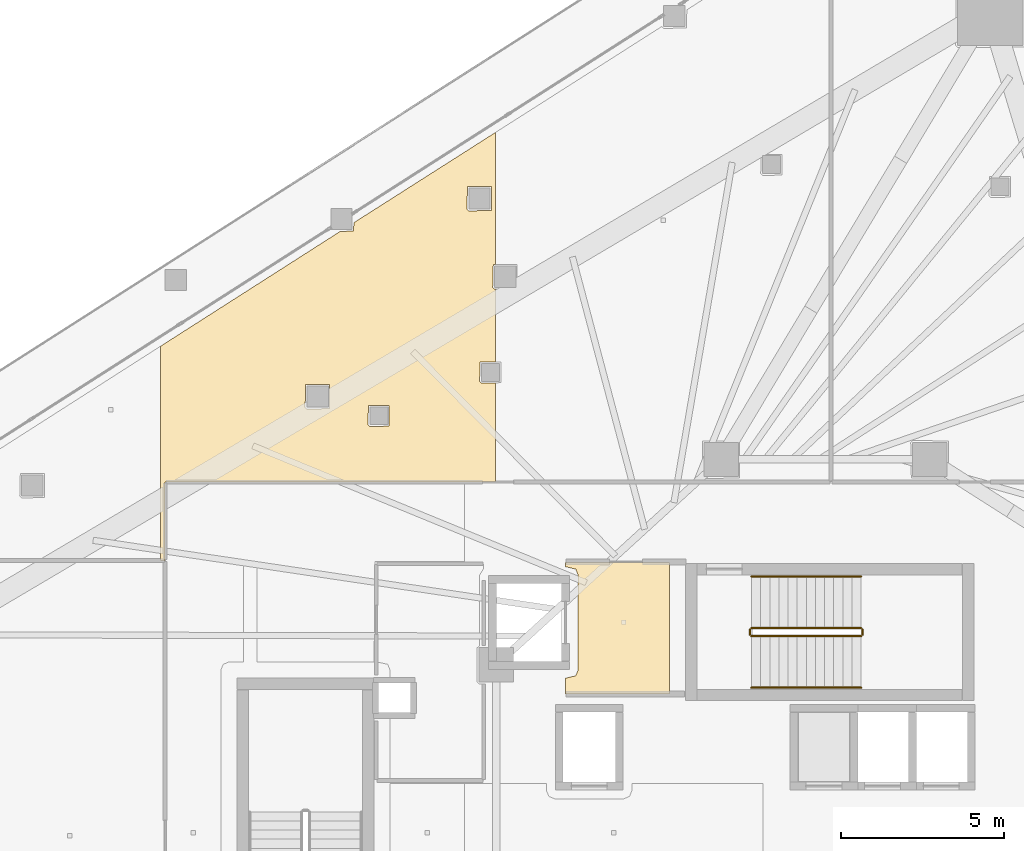
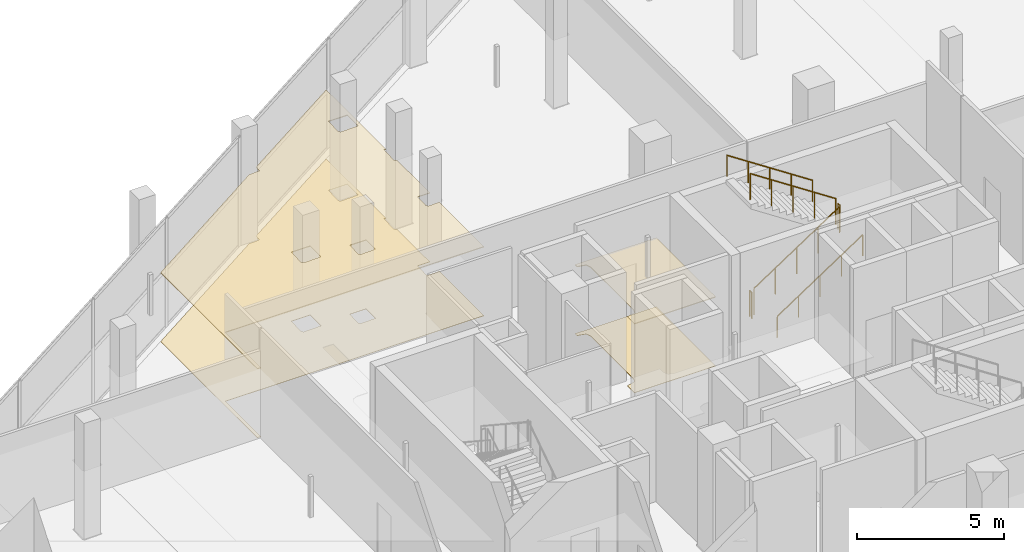
# One storey, part 40 of 42: 6 railings, 4 coverings.
"""IFC4 building model written with IfcOpenShell, lengths in metres."""

from ifc_helpers import new_model, si_unit, direction, frame, origin, origin_2d, place, context, subcontext, project, spatial, polyline, circle, outline, extrude, material, layer, layer_set, type_object, element, save


model = new_model("IFC4")

# Units and contexts
model_context = context("Model", 3, precision=1e-05, world=origin(), true_north=direction((0.0, 1.0)))
body_context = subcontext(model_context, "Body", "Model", "MODEL_VIEW")
ifc_project = project(units=[si_unit("LENGTHUNIT", "METRE"), si_unit("AREAUNIT", "SQUARE_METRE"), si_unit("VOLUMEUNIT", "CUBIC_METRE"), si_unit("PLANEANGLEUNIT", "RADIAN"), si_unit("MASSUNIT", "GRAM", prefix="KILO")], contexts=[model_context])

# Site, building, storey
site_placement = place(None, origin())
site = spatial("IfcSite", under=ifc_project, at=site_placement, CompositionType="ELEMENT")
building_placement = place(site_placement, origin())
building = spatial("IfcBuilding", under=site, at=building_placement, Name="Qorvath Tower", CompositionType="ELEMENT")
storey_placement = place(building_placement, frame((0.0, 0.0, 105.0)))
storey = spatial("IfcBuildingStorey", under=building, at=storey_placement, Name="L23", CompositionType="ELEMENT", Elevation=105.0)

# Coverings
ifc_material_1 = material(Name="Acoustic mineral fibre ceiling tile", Category="gypsum")
ifc_layer_1 = layer(ifc_material_1, 0.030029296875)
ifc_layer_set_1 = layer_set([ifc_layer_1], Name="COV-CEIL")
covering_type_1 = type_object("IfcCoveringType", Name="COV-CEIL", PredefinedType="CEILING", material=ifc_layer_set_1)
covering_1_placement = place(storey_placement, frame((0.0, 0.0, 2.85009765625)))
element("IfcCovering", 1, at=covering_1_placement, inside=storey, type_object=covering_type_1, Name="L23 Suspended Acoustic Ceiling 001", PredefinedType="CEILING", context=body_context, shape_type="SweptSolid", body=[
    extrude(outline(polyline([(-25.18994140625, 4.2548828125), (-25.18994140625, 8.294921875), (-28.375, 8.294921875), (-28.375, 8.159912109375), (-28.063232421875, 8.086669921875), (-27.989990234375, 7.909912109375), (-27.989990234375, 4.989990234375), (-28.063232421875, 4.813232421875), (-28.375, 4.739990234375), (-28.375, 4.2548828125), (-25.18994140625, 4.2548828125)])), origin(), (0.0, 0.0, 1.0), 0.030029296875),
])
covering_2_placement = place(storey_placement, frame((0.0, 0.0, 2.85009765625)))
element("IfcCovering", 2, at=covering_2_placement, inside=storey, type_object=covering_type_1, Name="L23 Suspended Acoustic Ceiling 009", PredefinedType="CEILING", context=body_context, shape_type="SweptSolid", body=[
    extrude(outline(polyline([(-30.519287109375, 10.762939453125), (-30.519287109375, 13.80224609375), (-30.9521484375, 13.789306640625), (-31.01220703125, 13.849365234375), (-30.99462890625, 14.441650390625), (-30.519287109375, 14.441650390625), (-30.519287109375, 16.67529296875), (-30.5498046875, 16.674560546875), (-30.60986328125, 16.734619140625), (-30.59228515625, 17.427001953125), (-30.519287109375, 17.427001953125), (-30.519287109375, 21.487548828125), (-34.86669921875, 18.71826171875), (-34.88427734375, 18.4619140625), (-35.29541015625, 18.4443359375), (-40.80029296875, 14.926025390625), (-40.80029296875, 8.35498046875), (-40.6630859375, 8.35498046875), (-40.657958984375, 10.762939453125), (-30.519287109375, 10.762939453125)]), holes=[polyline([(-31.401123046875, 19.135498046875), (-31.383544921875, 19.827880859375), (-30.648681640625, 19.827880859375), (-30.648681640625, 19.093017578125), (-31.341064453125, 19.075439453125), (-31.401123046875, 19.135498046875)]), polyline([(-34.439208984375, 12.517578125), (-34.421630859375, 13.10986328125), (-33.786865234375, 13.10986328125), (-33.786865234375, 12.47509765625), (-34.379150390625, 12.45751953125), (-34.439208984375, 12.517578125)]), polyline([(-36.36572265625, 13.055908203125), (-36.34814453125, 13.748291015625), (-35.61328125, 13.748291015625), (-35.61328125, 13.013427734375), (-36.3056640625, 12.995849609375), (-36.36572265625, 13.055908203125)])]), origin(), (0.0, 0.0, 1.0), 0.030029296875),
])
ifc_material_2 = material(Name="Low-VOC modular carpet tile", Category="textile")
ifc_layer_2 = layer(ifc_material_2, 0.014892578125)
ifc_layer_set_2 = layer_set([ifc_layer_2], Name="COV-FLOOR-CPT")
covering_type_2 = type_object("IfcCoveringType", Name="COV-FLOOR-CPT", PredefinedType="FLOORING", material=ifc_layer_set_2)
covering_3_placement = place(storey_placement, origin())
element("IfcCovering", 3, at=covering_3_placement, inside=storey, type_object=covering_type_2, Name="L23 Floor Finish 009", PredefinedType="FLOORING", context=body_context, shape_type="SweptSolid", body=[
    extrude(outline(polyline([(-30.519287109375, 10.762939453125), (-30.519287109375, 13.80224609375), (-30.9521484375, 13.789306640625), (-31.01220703125, 13.849365234375), (-30.99462890625, 14.441650390625), (-30.519287109375, 14.441650390625), (-30.519287109375, 16.67529296875), (-30.5498046875, 16.674560546875), (-30.60986328125, 16.734619140625), (-30.59228515625, 17.427001953125), (-30.519287109375, 17.427001953125), (-30.519287109375, 21.487548828125), (-34.86669921875, 18.71826171875), (-34.88427734375, 18.4619140625), (-35.29541015625, 18.4443359375), (-40.80029296875, 14.926025390625), (-40.80029296875, 8.35498046875), (-40.6630859375, 8.35498046875), (-40.657958984375, 10.762939453125), (-30.519287109375, 10.762939453125)]), holes=[polyline([(-31.401123046875, 19.135498046875), (-31.383544921875, 19.827880859375), (-30.648681640625, 19.827880859375), (-30.648681640625, 19.093017578125), (-31.341064453125, 19.075439453125), (-31.401123046875, 19.135498046875)]), polyline([(-34.439208984375, 12.517578125), (-34.421630859375, 13.10986328125), (-33.786865234375, 13.10986328125), (-33.786865234375, 12.47509765625), (-34.379150390625, 12.45751953125), (-34.439208984375, 12.517578125)]), polyline([(-36.36572265625, 13.055908203125), (-36.34814453125, 13.748291015625), (-35.61328125, 13.748291015625), (-35.61328125, 13.013427734375), (-36.3056640625, 12.995849609375), (-36.36572265625, 13.055908203125)])]), origin(), (0.0, 0.0, 1.0), 0.014892578125),
])
ifc_material_3 = material(Name="Polished epoxy terrazzo flooring", Category="concrete")
ifc_layer_3 = layer(ifc_material_3, 0.02001953125)
ifc_layer_set_3 = layer_set([ifc_layer_3], Name="COV-FLOOR-TRZ")
covering_type_3 = type_object("IfcCoveringType", Name="COV-FLOOR-TRZ", PredefinedType="FLOORING", material=ifc_layer_set_3)
covering_4_placement = place(storey_placement, origin())
element("IfcCovering", 4, at=covering_4_placement, inside=storey, type_object=covering_type_3, Name="L23 Floor Finish 001", PredefinedType="FLOORING", context=body_context, shape_type="SweptSolid", body=[
    extrude(outline(polyline([(-25.18994140625, 4.2548828125), (-25.18994140625, 8.294921875), (-28.375, 8.294921875), (-28.375, 8.159912109375), (-28.063232421875, 8.086669921875), (-27.989990234375, 7.909912109375), (-27.989990234375, 4.989990234375), (-28.063232421875, 4.813232421875), (-28.375, 4.739990234375), (-28.375, 4.2548828125), (-25.18994140625, 4.2548828125)])), origin(), (0.0, 0.0, 1.0), 0.014892578125),
])

# Railings
ifc_material_4 = material(Name="Painted galvanised steel", Category="steel")
railing_type_1 = type_object("IfcRailingType", Name="RL-STR-GRD", PredefinedType="GUARDRAIL", material=ifc_material_4)
railing_1_placement = place(storey_placement, frame((-22.669921875, 6.030029296875, 0.1845703125)))
element("IfcRailing", 5, at=railing_1_placement, inside=storey, type_object=railing_type_1, Name="L23 TS1 stair guard 1", PredefinedType="GUARDRAIL", context=body_context, shape_type="SweptSolid", body=[
    extrude(circle(Radius=0.02392578125, at=origin_2d()), frame((0.0, 0.0, 1.076171875), z_axis=(0.834858096282, 0.0, 0.550465220583), x_axis=(0.0, 1.0, 0.0)), (0.0, 0.0, 1.0), 4.0244140625),
    extrude(circle(Radius=0.02099609375, at=origin_2d()), origin(), (0.0, 0.0, 1.0), 1.052001953125),
    extrude(circle(Radius=0.02099609375, at=origin_2d()), frame((0.83984375, 0.0, 0.5537109375)), (0.0, 0.0, 1.0), 1.052001953125),
    extrude(circle(Radius=0.02099609375, at=origin_2d()), frame((1.679931640625, 0.0, 1.107666015625)), (0.0, 0.0, 1.0), 1.052001953125),
    extrude(circle(Radius=0.02099609375, at=origin_2d()), frame((2.52001953125, 0.0, 1.66162109375)), (0.0, 0.0, 1.0), 1.052001953125),
    extrude(circle(Radius=0.02099609375, at=origin_2d()), frame((3.35986328125, 0.0, 2.21533203125)), (0.0, 0.0, 1.0), 1.052001953125),
])
railing_2_placement = place(storey_placement, frame((-19.260009765625, 6.080078125, 2.39990234375)))
element("IfcRailing", 6, at=railing_2_placement, inside=storey, type_object=railing_type_1, Name="L23 TS1 stair guard 2", PredefinedType="GUARDRAIL", context=body_context, shape_type="SweptSolid", body=[
    extrude(circle(Radius=0.02392578125, at=origin_2d()), frame((0.0, 0.0, 1.076171875), z_axis=(0.0, 1.0, 0.0), x_axis=(-1.0, 0.0, 0.0)), (0.0, 0.0, 1.0), 0.14990234375),
    extrude(circle(Radius=0.02099609375, at=origin_2d()), origin(), (0.0, 0.0, 1.0), 1.052001953125),
    extrude(circle(Radius=0.02099609375, at=origin_2d()), frame((0.0, 0.14990234375, 0.0)), (0.0, 0.0, 1.0), 1.052001953125),
])
railing_3_placement = place(storey_placement, frame((-19.31005859375, 6.280029296875, 2.584716796875)))
element("IfcRailing", 7, at=railing_3_placement, inside=storey, type_object=railing_type_1, Name="L23 TS1 stair guard 3", PredefinedType="GUARDRAIL", context=body_context, shape_type="SweptSolid", body=[
    extrude(circle(Radius=0.02392578125, at=origin_2d()), frame((0.0, 0.0, 1.076171875), z_axis=(-0.834858096282, 0.0, 0.550465220583), x_axis=(0.0, -1.0, 0.0)), (0.0, 0.0, 1.0), 4.0244140625),
    extrude(circle(Radius=0.02099609375, at=origin_2d()), origin(), (0.0, 0.0, 1.0), 1.052001953125),
    extrude(circle(Radius=0.02099609375, at=origin_2d()), frame((-0.83984375, 0.0, 0.5537109375)), (0.0, 0.0, 1.0), 1.052001953125),
    extrude(circle(Radius=0.02099609375, at=origin_2d()), frame((-1.679931640625, 0.0, 1.107666015625)), (0.0, 0.0, 1.0), 1.052001953125),
    extrude(circle(Radius=0.02099609375, at=origin_2d()), frame((-2.52001953125, 0.0, 1.66162109375)), (0.0, 0.0, 1.0), 1.052001953125),
    extrude(circle(Radius=0.02099609375, at=origin_2d()), frame((-3.35986328125, 0.0, 2.21533203125)), (0.0, 0.0, 1.0), 1.052001953125),
])
railing_4_placement = place(storey_placement, frame((-22.719970703125, 6.080078125, 0.0)))
element("IfcRailing", 8, at=railing_4_placement, inside=storey, type_object=railing_type_1, Name="L23 TS1 stair guard 4", PredefinedType="GUARDRAIL", context=body_context, shape_type="SweptSolid", body=[
    extrude(circle(Radius=0.02392578125, at=origin_2d()), frame((0.0, 0.0, 1.076171875), z_axis=(0.0, 1.0, 0.0), x_axis=(-1.0, 0.0, 0.0)), (0.0, 0.0, 1.0), 0.14990234375),
    extrude(circle(Radius=0.02099609375, at=origin_2d()), origin(), (0.0, 0.0, 1.0), 1.052001953125),
    extrude(circle(Radius=0.02099609375, at=origin_2d()), frame((0.0, 0.14990234375, 0.0)), (0.0, 0.0, 1.0), 1.052001953125),
])
ifc_material_5 = material(Name="Brushed stainless steel AISI 304", Category="steel")
railing_type_2 = type_object("IfcRailingType", Name="RL-STR-HND", PredefinedType="HANDRAIL", material=ifc_material_5)
railing_5_placement = place(storey_placement, frame((-22.669921875, 4.449951171875, 0.1845703125)))
element("IfcRailing", 9, at=railing_5_placement, inside=storey, type_object=railing_type_2, Name="L23 TS1 stair handrail 1", PredefinedType="HANDRAIL", context=body_context, shape_type="SweptSolid", body=[
    extrude(circle(Radius=0.02392578125, at=origin_2d()), frame((0.0, 0.0, 0.8759765625), z_axis=(0.834858096282, 0.0, 0.550465220583), x_axis=(0.0, 1.0, 0.0)), (0.0, 0.0, 1.0), 4.0244140625),
    extrude(circle(Radius=0.02099609375, at=origin_2d()), origin(), (0.0, 0.0, 1.0), 0.851806640625),
    extrude(circle(Radius=0.02099609375, at=origin_2d()), frame((0.83984375, 0.0, 0.5537109375)), (0.0, 0.0, 1.0), 0.851806640625),
    extrude(circle(Radius=0.02099609375, at=origin_2d()), frame((1.679931640625, 0.0, 1.107666015625)), (0.0, 0.0, 1.0), 0.851806640625),
    extrude(circle(Radius=0.02099609375, at=origin_2d()), frame((2.52001953125, 0.0, 1.66162109375)), (0.0, 0.0, 1.0), 0.851806640625),
    extrude(circle(Radius=0.02099609375, at=origin_2d()), frame((3.35986328125, 0.0, 2.21533203125)), (0.0, 0.0, 1.0), 0.851806640625),
])
railing_6_placement = place(storey_placement, frame((-19.31005859375, 7.860107421875, 2.584716796875)))
element("IfcRailing", 10, at=railing_6_placement, inside=storey, type_object=railing_type_2, Name="L23 TS1 stair handrail 2", PredefinedType="HANDRAIL", context=body_context, shape_type="SweptSolid", body=[
    extrude(circle(Radius=0.02392578125, at=origin_2d()), frame((0.0, 0.0, 0.8759765625), z_axis=(-0.834858096282, 0.0, 0.550465220583), x_axis=(0.0, -1.0, 0.0)), (0.0, 0.0, 1.0), 4.0244140625),
    extrude(circle(Radius=0.02099609375, at=origin_2d()), origin(), (0.0, 0.0, 1.0), 0.851806640625),
    extrude(circle(Radius=0.02099609375, at=origin_2d()), frame((-0.83984375, 0.0, 0.5537109375)), (0.0, 0.0, 1.0), 0.851806640625),
    extrude(circle(Radius=0.02099609375, at=origin_2d()), frame((-1.679931640625, 0.0, 1.107666015625)), (0.0, 0.0, 1.0), 0.851806640625),
    extrude(circle(Radius=0.02099609375, at=origin_2d()), frame((-2.52001953125, 0.0, 1.66162109375)), (0.0, 0.0, 1.0), 0.851806640625),
    extrude(circle(Radius=0.02099609375, at=origin_2d()), frame((-3.35986328125, 0.0, 2.21533203125)), (0.0, 0.0, 1.0), 0.851806640625),
])

save(model, "model.ifc")
